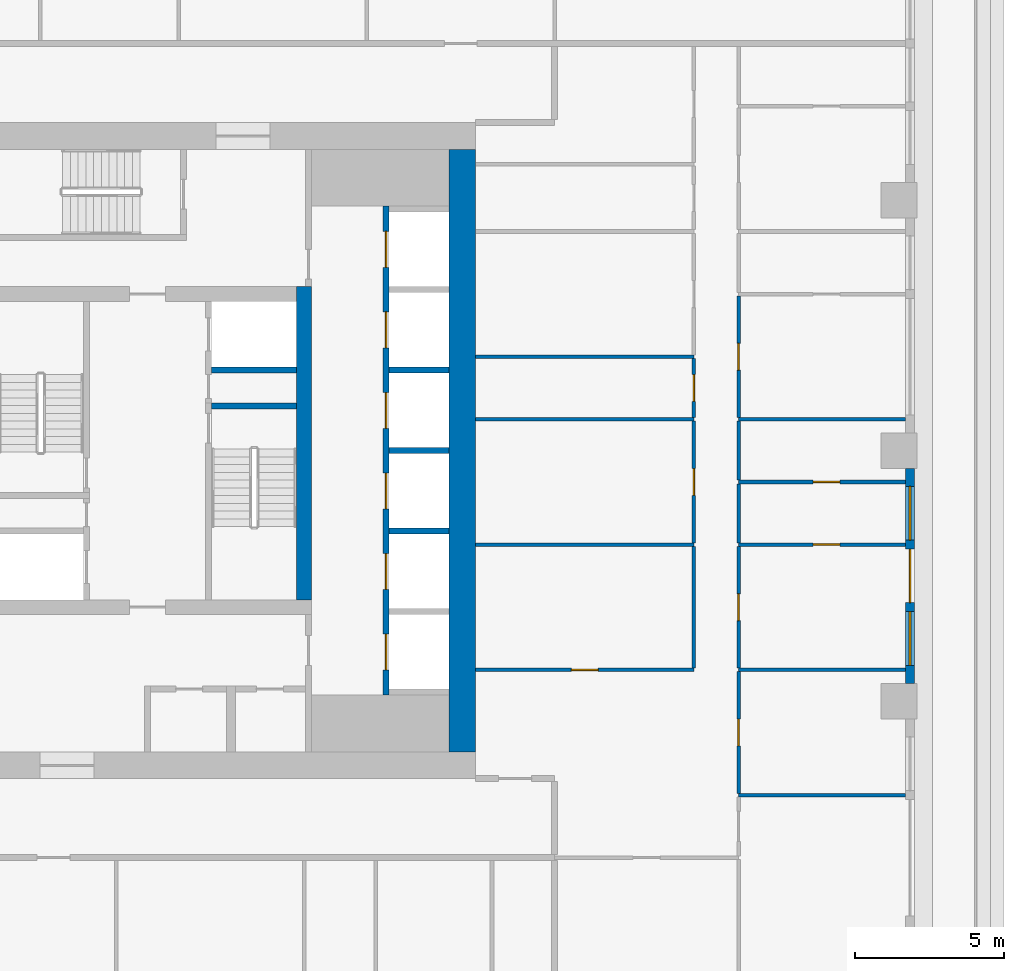
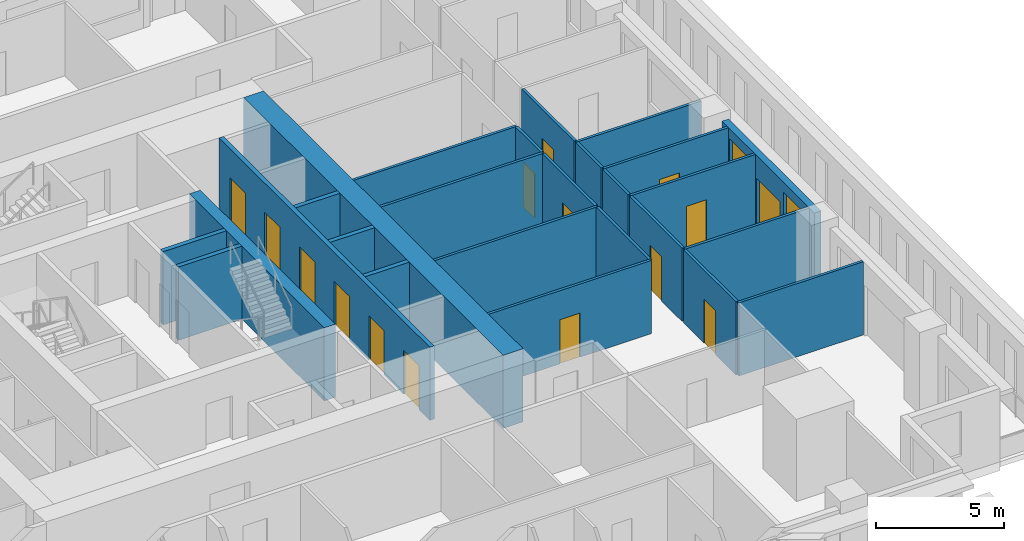
# One storey, part 6 of 16: 26 walls, 15 doors, 2 windows, 17 openings.
"""IFC4 building model written with IfcOpenShell, lengths in metres."""

import ifcopenshell
import ifcopenshell.guid

model = None  # the IFC model being written
_history = None  # IfcOwnerHistory: only IFC2X3 demands one
_inside = {}  # id of a spatial element -> (the spatial element, [elements in it])
_under = {}  # id of a project, library or spatial element -> (it, [spatial elements below it])
_declared = {}  # id of a project -> (the project, [libraries it declares])
_typed = {}  # id of a type object -> (the type object, [elements of that type])
_made_of = {}  # id of a material, layer set ... -> (it, [elements and type objects made of it])


def new_model(schema):
    """Start an empty IFC model of exactly this schema.

    Asked for "IFC4X3", IfcOpenShell would pick the latest addendum, in which some entities
    have other attributes; the version numbers below select the first issue.
    IFC2X3 requires an IfcOwnerHistory on every rooted entity: one is made here for all.
    """
    global model, _history
    if schema == "IFC4X3":
        model = ifcopenshell.file(schema_version=(4, 3, 0, 0))
    else:
        model = ifcopenshell.file(schema=schema)
    _inside.clear()
    _under.clear()
    _declared.clear()
    _typed.clear()
    _made_of.clear()
    _history = None
    if model.schema == "IFC2X3":
        org = make("IfcOrganization", Name="unknown")
        user = make(
            "IfcPersonAndOrganization",
            ThePerson=make("IfcPerson", FamilyName="unknown"),
            TheOrganization=org,
        )
        app = make(
            "IfcApplication",
            ApplicationDeveloper=org,
            Version="unknown",
            ApplicationFullName="unknown",
            ApplicationIdentifier="unknown",
        )
        _history = make(
            "IfcOwnerHistory",
            OwningUser=user,
            OwningApplication=app,
            ChangeAction="ADDED",
            CreationDate=0,
        )
    return model


def make(cls, **values):
    """One entity of the class cls with the attributes given. An attribute that is None is left unset."""
    return model.create_entity(
        cls, **{name: value for name, value in values.items() if value is not None}
    )


def rooted(cls, **values):
    """An entity with a GlobalId (a new one), such as an element, a storey or a relation."""
    return make(cls, GlobalId=ifcopenshell.guid.new(), OwnerHistory=_history, **values)


def si_unit(unit_type, name, prefix=None):
    """IfcSIUnit, for example si_unit("LENGTHUNIT", "METRE", prefix="MILLI")."""
    return make("IfcSIUnit", UnitType=unit_type, Prefix=prefix, Name=name)


def assignment(units):
    """IfcUnitAssignment: the units of a project."""
    return None if units is None else make("IfcUnitAssignment", Units=units)


def point(xyz):
    """IfcCartesianPoint."""
    return None if xyz is None else make("IfcCartesianPoint", Coordinates=xyz)


def direction(xyz):
    """IfcDirection."""
    return None if xyz is None else make("IfcDirection", DirectionRatios=xyz)


def frame(location, z_axis=None, x_axis=None):
    """IfcAxis2Placement3D, a coordinate frame: its origin and axes. An axis left out is left unset."""
    return make(
        "IfcAxis2Placement3D",
        Location=point(location),
        Axis=direction(z_axis),
        RefDirection=direction(x_axis),
    )


def frame_2d(location, x_axis=None):
    """IfcAxis2Placement2D, a coordinate frame in the plane: its origin and x axis."""
    return make(
        "IfcAxis2Placement2D", Location=point(location), RefDirection=direction(x_axis)
    )


def origin():
    """The frame at (0, 0, 0) with its axes left unset."""
    return frame((0.0, 0.0, 0.0))


def place(relative_to, where):
    """IfcLocalPlacement: puts the frame where relative to a parent placement (None: the world)."""
    return make(
        "IfcLocalPlacement", PlacementRelTo=relative_to, RelativePlacement=where
    )


def context(
    kind, dimensions, precision=None, world=None, true_north=None, identifier=None
):
    """IfcGeometricRepresentationContext, for example the 3D "Model" context."""
    return make(
        "IfcGeometricRepresentationContext",
        ContextIdentifier=identifier,
        ContextType=kind,
        CoordinateSpaceDimension=dimensions,
        Precision=precision,
        WorldCoordinateSystem=world,
        TrueNorth=true_north,
    )


def subcontext(parent, identifier, kind, view, scale=None):
    """IfcGeometricRepresentationSubContext, for example "Body" below "Model"."""
    return make(
        "IfcGeometricRepresentationSubContext",
        ContextIdentifier=identifier,
        ContextType=kind,
        ParentContext=parent,
        TargetScale=scale,
        TargetView=view,
    )


def project(units=None, contexts=None):
    """IfcProject with its units and contexts."""
    return rooted(
        "IfcProject",
        Name="project",
        RepresentationContexts=contexts,
        UnitsInContext=assignment(units),
    )


def spatial(cls, under=None, at=None, **own):
    """A site, building, storey or space (cls), placed at a placement, below another one or the project."""
    s = rooted(cls, ObjectPlacement=at, **own)
    if under is not None:
        _under.setdefault(under.id(), (under, []))[1].append(s)
    return s


def profile(cls, at=None, kind="AREA", **sizes):
    """A parametric profile (cls). Its sizes go by their IFC names, for example OverallWidth=200.0."""
    return make(cls, ProfileType=kind, Position=at, **sizes)


def rectangle(**sizes):
    """IfcRectangleProfileDef."""
    return profile("IfcRectangleProfileDef", **sizes)


def extrude(swept, where, along, depth):
    """IfcExtrudedAreaSolid: the profile swept, set in the frame where, extruded along a direction by depth."""
    return make(
        "IfcExtrudedAreaSolid",
        SweptArea=swept,
        Position=where,
        ExtrudedDirection=direction(along),
        Depth=depth,
    )


def shape(context_of_items, identifier, shape_type, items):
    """IfcShapeRepresentation: the items that make up one representation, for example the "Body"."""
    return make(
        "IfcShapeRepresentation",
        ContextOfItems=context_of_items,
        RepresentationIdentifier=identifier,
        RepresentationType=shape_type,
        Items=items,
    )


def material(Name=None, Category=None):
    """IfcMaterial."""
    return make("IfcMaterial", Name=Name, Category=Category)


def layer(
    of_material, thickness, ventilated=None, Name=None, Category=None, Priority=None
):
    """IfcMaterialLayer: one layer of a wall or slab, of a material (None: an air gap)."""
    return make(
        "IfcMaterialLayer",
        Material=of_material,
        LayerThickness=thickness,
        IsVentilated=ventilated,
        Name=Name,
        Category=Category,
        Priority=Priority,
    )


def layer_set(layers, Name=None):
    """IfcMaterialLayerSet."""
    return make("IfcMaterialLayerSet", MaterialLayers=layers, LayerSetName=Name)


def made_of(thing, what):
    """Note that an element or type object is made of a material, layer set ...; save() writes the relation."""
    if what is not None:
        _made_of.setdefault(what.id(), (what, []))[1].append(thing)
    return thing


def type_object(cls, material=None, **own):
    """A type object (cls), such as IfcWallType, which elements share."""
    return made_of(rooted(cls, **own), material)


def element(
    cls,
    number,
    at=None,
    inside=None,
    cuts=None,
    type_object=None,
    material=None,
    context=None,
    identifier="Body",
    shape_type=None,
    held_by="IfcProductDefinitionShape",
    body=None,
    shapes=None,
    **own,
):
    """One element of the class cls, such as IfcWall. Its Tag is "e" and its number.

    at: its placement. inside: the storey or other place that contains it. cuts: it is an
    opening in that element (IfcRelVoidsElement). A single representation is given by context,
    identifier, shape_type and body (its items); several are given by shapes. held_by: the class
    of the entity that holds the representations. save() writes the other relations.
    """
    e = rooted(cls, Tag="e%d" % number, ObjectPlacement=at, **own)
    if body is not None:
        shapes = [shape(context, identifier, shape_type, body)]
    if shapes is not None:
        e.Representation = make(held_by, Representations=shapes)
    if inside is not None:
        _inside.setdefault(inside.id(), (inside, []))[1].append(e)
    if cuts is not None:
        rooted(
            "IfcRelVoidsElement", RelatingBuildingElement=cuts, RelatedOpeningElement=e
        )
    if type_object is not None:
        _typed.setdefault(type_object.id(), (type_object, []))[1].append(e)
    return made_of(e, material)


def fill(opening, filler):
    """IfcRelFillsElement: the door or window that sits in an opening."""
    return rooted(
        "IfcRelFillsElement",
        RelatingOpeningElement=opening,
        RelatedBuildingElement=filler,
    )


def aggregate(whole, parts):
    """IfcRelAggregates: a whole, such as a stair, and the parts it consists of."""
    return rooted("IfcRelAggregates", RelatingObject=whole, RelatedObjects=parts)


def save(model, path):
    """Write the relations noted so far, then the file.

    IfcRelAggregates (storeys below a building ...), IfcRelContainedInSpatialStructure (elements
    in a storey), IfcRelDefinesByType, IfcRelAssociatesMaterial and IfcRelDeclares: one each for
    every whole, place, type object, material and project.
    """
    for whole, parts in _under.values():
        aggregate(whole, parts)
    for where, things in _inside.values():
        rooted(
            "IfcRelContainedInSpatialStructure",
            RelatedElements=things,
            RelatingStructure=where,
        )
    for kind, things in _typed.values():
        rooted("IfcRelDefinesByType", RelatedObjects=things, RelatingType=kind)
    for what, things in _made_of.values():
        rooted("IfcRelAssociatesMaterial", RelatedObjects=things, RelatingMaterial=what)
    for by, libraries in _declared.values():
        rooted("IfcRelDeclares", RelatingContext=by, RelatedDefinitions=libraries)
    model.write(path)


model = new_model("IFC4")

# Units and contexts
model_context = context("Model", 3, precision=1e-05, world=origin(), true_north=direction((0.0, 1.0)))
body_context = subcontext(model_context, "Body", "Model", "MODEL_VIEW")
ifc_project = project(units=[si_unit("LENGTHUNIT", "METRE"), si_unit("AREAUNIT", "SQUARE_METRE"), si_unit("VOLUMEUNIT", "CUBIC_METRE"), si_unit("PLANEANGLEUNIT", "RADIAN"), si_unit("MASSUNIT", "GRAM", prefix="KILO")], contexts=[model_context])

# Site, building, storey
site_placement = place(None, origin())
site = spatial("IfcSite", under=ifc_project, at=site_placement, CompositionType="ELEMENT")
building_placement = place(site_placement, origin())
building = spatial("IfcBuilding", under=site, at=building_placement, Name="Khepri Terraces", CompositionType="ELEMENT")
storey_placement = place(building_placement, frame((0.0, 0.0, 168.89990234375)))
storey = spatial("IfcBuildingStorey", under=building, at=storey_placement, Name="L40", CompositionType="ELEMENT", Elevation=168.89990234375)

# Wall
ifc_material_1 = material(Name="Concrete C60/75", Category="concrete")
ifc_layer_1 = layer(ifc_material_1, 0.199951171875, Name="Concrete C60/75", Category="concrete")
ifc_layer_set_1 = layer_set([ifc_layer_1], Name="Concrete C60/75")
wall_type_1 = type_object("IfcWallType", Name="Core wall 200 C60/75", PredefinedType="SHEAR", material=ifc_layer_set_1)
wall_1_placement = place(storey_placement, frame((2.14990234375, 1.5, 0.0), z_axis=(0.0, 0.0, 1.0), x_axis=(1.0, 0.0, 0.0)))
element("IfcWall", 1, at=wall_1_placement, inside=storey, type_object=wall_type_1, Name="Core wall ST04 L40", PredefinedType="SHEAR", context=body_context, shape_type="SweptSolid", body=[
    extrude(rectangle(XDim=2.85009765625, YDim=0.199951171875, at=frame_2d((1.425048828125, 0.0))), origin(), (0.0, 0.0, 1.0), 3.47998046875),
])

# Wall, openings, doors
wall_2_placement = place(storey_placement, frame((8.0, -8.199951171875, 0.0), z_axis=(0.0, 0.0, 1.0), x_axis=(0.0, 1.0, 0.0)))
wall_2 = element("IfcWall", 2, at=wall_2_placement, inside=storey, type_object=wall_type_1, Name="Core wall SH02 L40", PredefinedType="SHEAR", context=body_context, shape_type="SweptSolid", body=[
    extrude(rectangle(XDim=16.39990234375, YDim=0.199951171875, at=frame_2d((8.199951171875, 0.0))), origin(), (0.0, 0.0, 1.0), 3.47998046875),
])
opening_1_placement = place(wall_2_placement, frame((0.85009765625, 0.0, 0.0)))
opening_1 = element("IfcOpeningElement", 3, at=opening_1_placement, cuts=wall_2, Name="Opening L40-C01", PredefinedType="OPENING", context=body_context, shape_type="SweptSolid", body=[
    extrude(rectangle(XDim=1.199951171875, YDim=2.10009765625, at=frame_2d((0.60009765625, 1.050048828125))), frame((0.0, 0.10986328125, 0.0), z_axis=(0.0, -1.0, 0.0), x_axis=(1.0, 0.0, 0.0)), (0.0, 0.0, 1.0), 0.219970703125),
])
opening_2_placement = place(wall_2_placement, frame((3.550048828125, 0.0, 0.0)))
opening_2 = element("IfcOpeningElement", 4, at=opening_2_placement, cuts=wall_2, Name="Opening L40-C02", PredefinedType="OPENING", context=body_context, shape_type="SweptSolid", body=[
    extrude(rectangle(XDim=1.199951171875, YDim=2.10009765625, at=frame_2d((0.60009765625, 1.050048828125))), frame((0.0, 0.10986328125, 0.0), z_axis=(0.0, -1.0, 0.0), x_axis=(1.0, 0.0, 0.0)), (0.0, 0.0, 1.0), 0.219970703125),
])
opening_3_placement = place(wall_2_placement, frame((6.25, 0.0, 0.0)))
opening_3 = element("IfcOpeningElement", 5, at=opening_3_placement, cuts=wall_2, Name="Opening L40-C03", PredefinedType="OPENING", context=body_context, shape_type="SweptSolid", body=[
    extrude(rectangle(XDim=1.199951171875, YDim=2.10009765625, at=frame_2d((0.60009765625, 1.050048828125))), frame((0.0, 0.10986328125, 0.0), z_axis=(0.0, -1.0, 0.0), x_axis=(1.0, 0.0, 0.0)), (0.0, 0.0, 1.0), 0.219970703125),
])
opening_4_placement = place(wall_2_placement, frame((8.949951171875, 0.0, 0.0)))
opening_4 = element("IfcOpeningElement", 6, at=opening_4_placement, cuts=wall_2, Name="Opening L40-C04", PredefinedType="OPENING", context=body_context, shape_type="SweptSolid", body=[
    extrude(rectangle(XDim=1.199951171875, YDim=2.10009765625, at=frame_2d((0.60009765625, 1.050048828125))), frame((0.0, 0.10986328125, 0.0), z_axis=(0.0, -1.0, 0.0), x_axis=(1.0, 0.0, 0.0)), (0.0, 0.0, 1.0), 0.219970703125),
])
opening_5_placement = place(wall_2_placement, frame((11.64990234375, 0.0, 0.0)))
opening_5 = element("IfcOpeningElement", 7, at=opening_5_placement, cuts=wall_2, Name="Opening L40-C05", PredefinedType="OPENING", context=body_context, shape_type="SweptSolid", body=[
    extrude(rectangle(XDim=1.199951171875, YDim=2.10009765625, at=frame_2d((0.60009765625, 1.050048828125))), frame((0.0, 0.10986328125, 0.0), z_axis=(0.0, -1.0, 0.0), x_axis=(1.0, 0.0, 0.0)), (0.0, 0.0, 1.0), 0.219970703125),
])
opening_6_placement = place(wall_2_placement, frame((14.35009765625, 0.0, 0.0)))
opening_6 = element("IfcOpeningElement", 8, at=opening_6_placement, cuts=wall_2, Name="Opening L40-C06", PredefinedType="OPENING", context=body_context, shape_type="SweptSolid", body=[
    extrude(rectangle(XDim=1.199951171875, YDim=2.10009765625, at=frame_2d((0.60009765625, 1.050048828125))), frame((0.0, 0.10986328125, 0.0), z_axis=(0.0, -1.0, 0.0), x_axis=(1.0, 0.0, 0.0)), (0.0, 0.0, 1.0), 0.219970703125),
])
ifc_material_2 = material(Name="Stainless steel 304", Category="steel")
door_type_1 = type_object("IfcDoorType", Name="DR-CORE-LANDING-1200", OperationType="NOTDEFINED", PredefinedType="DOOR", material=ifc_material_2)
door_1_placement = place(opening_1_placement, origin())
door_1 = element("IfcDoor", 9, at=door_1_placement, inside=storey, type_object=door_type_1, Name="Lift landing door L40-C01", OperationType="SLIDING_TO_LEFT", OverallHeight=2.10009765625, OverallWidth=1.199951171875, PredefinedType="DOOR", context=body_context, shape_type="SweptSolid", body=[
    extrude(rectangle(XDim=1.199951171875, YDim=2.10009765625, at=frame_2d((0.60009765625, 1.050048828125))), frame((0.0, 0.02490234375, 0.0), z_axis=(0.0, -1.0, 0.0), x_axis=(1.0, 0.0, 0.0)), (0.0, 0.0, 1.0), 0.050048828125),
])
fill(opening_1, door_1)
door_2_placement = place(opening_2_placement, origin())
door_2 = element("IfcDoor", 10, at=door_2_placement, inside=storey, type_object=door_type_1, Name="Lift landing door L40-C02", OperationType="SLIDING_TO_LEFT", OverallHeight=2.10009765625, OverallWidth=1.199951171875, PredefinedType="DOOR", context=body_context, shape_type="SweptSolid", body=[
    extrude(rectangle(XDim=1.199951171875, YDim=2.10009765625, at=frame_2d((0.60009765625, 1.050048828125))), frame((0.0, 0.02490234375, 0.0), z_axis=(0.0, -1.0, 0.0), x_axis=(1.0, 0.0, 0.0)), (0.0, 0.0, 1.0), 0.050048828125),
])
fill(opening_2, door_2)
door_3_placement = place(opening_3_placement, origin())
door_3 = element("IfcDoor", 11, at=door_3_placement, inside=storey, type_object=door_type_1, Name="Lift landing door L40-C03", OperationType="SLIDING_TO_LEFT", OverallHeight=2.10009765625, OverallWidth=1.199951171875, PredefinedType="DOOR", context=body_context, shape_type="SweptSolid", body=[
    extrude(rectangle(XDim=1.199951171875, YDim=2.10009765625, at=frame_2d((0.60009765625, 1.050048828125))), frame((0.0, 0.02490234375, 0.0), z_axis=(0.0, -1.0, 0.0), x_axis=(1.0, 0.0, 0.0)), (0.0, 0.0, 1.0), 0.050048828125),
])
fill(opening_3, door_3)
door_4_placement = place(opening_4_placement, origin())
door_4 = element("IfcDoor", 12, at=door_4_placement, inside=storey, type_object=door_type_1, Name="Lift landing door L40-C04", OperationType="SLIDING_TO_LEFT", OverallHeight=2.10009765625, OverallWidth=1.199951171875, PredefinedType="DOOR", context=body_context, shape_type="SweptSolid", body=[
    extrude(rectangle(XDim=1.199951171875, YDim=2.10009765625, at=frame_2d((0.60009765625, 1.050048828125))), frame((0.0, 0.02490234375, 0.0), z_axis=(0.0, -1.0, 0.0), x_axis=(1.0, 0.0, 0.0)), (0.0, 0.0, 1.0), 0.050048828125),
])
fill(opening_4, door_4)
door_5_placement = place(opening_5_placement, origin())
door_5 = element("IfcDoor", 13, at=door_5_placement, inside=storey, type_object=door_type_1, Name="Lift landing door L40-C05", OperationType="SLIDING_TO_LEFT", OverallHeight=2.10009765625, OverallWidth=1.199951171875, PredefinedType="DOOR", context=body_context, shape_type="SweptSolid", body=[
    extrude(rectangle(XDim=1.199951171875, YDim=2.10009765625, at=frame_2d((0.60009765625, 1.050048828125))), frame((0.0, 0.02490234375, 0.0), z_axis=(0.0, -1.0, 0.0), x_axis=(1.0, 0.0, 0.0)), (0.0, 0.0, 1.0), 0.050048828125),
])
fill(opening_5, door_5)
door_6_placement = place(opening_6_placement, origin())
door_6 = element("IfcDoor", 14, at=door_6_placement, inside=storey, type_object=door_type_1, Name="Lift landing door L40-C06", OperationType="SLIDING_TO_LEFT", OverallHeight=2.10009765625, OverallWidth=1.199951171875, PredefinedType="DOOR", context=body_context, shape_type="SweptSolid", body=[
    extrude(rectangle(XDim=1.199951171875, YDim=2.10009765625, at=frame_2d((0.60009765625, 1.050048828125))), frame((0.0, 0.02490234375, 0.0), z_axis=(0.0, -1.0, 0.0), x_axis=(1.0, 0.0, 0.0)), (0.0, 0.0, 1.0), 0.050048828125),
])
fill(opening_6, door_6)

# Walls
for number, where, z_axis, x_axis, name in (
    (15, (8.10009765625, -2.699951171875, 0.0), (0.0, 0.0, 1.0), (1.0, 0.0, 0.0), "Core wall SH08 L40"),
    (16, (8.10009765625, 0.0, 0.0), (0.0, 0.0, 1.0), (1.0, 0.0, 0.0), "Core wall SH09 L40"),
):
    element("IfcWall", number, at=place(storey_placement, frame(where, z_axis=z_axis, x_axis=x_axis)), inside=storey, type_object=wall_type_1, Name=name, PredefinedType="SHEAR", context=body_context, shape_type="SweptSolid", body=[
        extrude(rectangle(XDim=2.0, YDim=0.199951171875, at=frame_2d((1.0, 0.0))), origin(), (0.0, 0.0, 1.0), 3.47998046875),
    ])
wall_3_placement = place(storey_placement, frame((2.14990234375, 2.699951171875, 0.0), z_axis=(0.0, 0.0, 1.0), x_axis=(1.0, 0.0, 0.0)))
element("IfcWall", 17, at=wall_3_placement, inside=storey, type_object=wall_type_1, Name="Core wall SH12 L40", PredefinedType="SHEAR", context=body_context, shape_type="SweptSolid", body=[
    extrude(rectangle(XDim=2.85009765625, YDim=0.199951171875, at=frame_2d((1.425048828125, 0.0))), origin(), (0.0, 0.0, 1.0), 3.47998046875),
])
wall_4_placement = place(storey_placement, frame((8.10009765625, 2.699951171875, 0.0), z_axis=(0.0, 0.0, 1.0), x_axis=(1.0, 0.0, 0.0)))
element("IfcWall", 18, at=wall_4_placement, inside=storey, type_object=wall_type_1, Name="Core wall SH13 L40", PredefinedType="SHEAR", context=body_context, shape_type="SweptSolid", body=[
    extrude(rectangle(XDim=2.0, YDim=0.199951171875, at=frame_2d((1.0, 0.0))), origin(), (0.0, 0.0, 1.0), 3.47998046875),
])
ifc_layer_2 = layer(ifc_material_1, 0.5, Name="Concrete C60/75", Category="concrete")
ifc_layer_set_2 = layer_set([ifc_layer_2], Name="Concrete C60/75")
wall_type_2 = type_object("IfcWallType", Name="Core wall 500 C60/75", PredefinedType="SHEAR", material=ifc_layer_set_2)
wall_5_placement = place(storey_placement, frame((5.25, -5.0, 0.0), z_axis=(0.0, 0.0, 1.0), x_axis=(0.0, 1.0, 0.0)))
element("IfcWall", 19, at=wall_5_placement, inside=storey, type_object=wall_type_2, Name="Core wall BX03 L40", PredefinedType="SHEAR", context=body_context, shape_type="SweptSolid", body=[
    extrude(rectangle(XDim=10.5, YDim=0.5, at=frame_2d((5.25, 0.0))), origin(), (0.0, 0.0, 1.0), 3.47998046875),
])
ifc_layer_3 = layer(ifc_material_1, 0.89990234375, Name="Concrete C60/75", Category="concrete")
ifc_layer_set_3 = layer_set([ifc_layer_3], Name="Concrete C60/75")
wall_type_3 = type_object("IfcWallType", Name="Core wall 900 C60/75", PredefinedType="SHEAR", material=ifc_layer_set_3)
wall_6_placement = place(storey_placement, frame((10.550048828125, -10.10009765625, 0.0), z_axis=(0.0, 0.0, 1.0), x_axis=(0.0, 1.0, 0.0)))
element("IfcWall", 20, at=wall_6_placement, inside=storey, type_object=wall_type_3, Name="Core wall OW-E L40", PredefinedType="SHEAR", context=body_context, shape_type="SweptSolid", body=[
    extrude(rectangle(XDim=20.2001953125, YDim=0.89990234375, at=frame_2d((10.10009765625, 0.0))), origin(), (0.0, 0.0, 1.0), 3.47998046875),
])

# Wall, openings, door, windows
ifc_material_3 = material(Name="Precast concrete C50/60 warm stone", Category="masonry")
ifc_layer_4 = layer(ifc_material_3, 0.300048828125, Name="Precast concrete C50/60 warm stone", Category="masonry")
ifc_layer_set_4 = layer_set([ifc_layer_4], Name="Precast concrete C50/60 warm stone")
wall_type_4 = type_object("IfcWallType", Name="WL-EXT-PRECAST-300", PredefinedType="STANDARD", material=ifc_layer_set_4)
wall_7_placement = place(storey_placement, frame((25.570068359375, -7.800048828125, 0.0), z_axis=(0.0, 0.0, 1.0), x_axis=(0.0, 1.0, 0.0)))
wall_7 = element("IfcWall", 21, at=wall_7_placement, inside=storey, type_object=wall_type_4, Name="External wall L40 E", PredefinedType="STANDARD", context=body_context, shape_type="SweptSolid", body=[
    extrude(rectangle(XDim=7.199951171875, YDim=0.300048828125, at=frame_2d((3.60009765625, 0.0))), origin(), (0.0, 0.0, 1.0), 3.47998046875),
])
opening_7_placement = place(wall_7_placement, frame((0.60009765625, 0.0, 0.89990234375)))
opening_7 = element("IfcOpeningElement", 22, at=opening_7_placement, cuts=wall_7, Name="Opening W1", PredefinedType="OPENING", context=body_context, shape_type="SweptSolid", body=[
    extrude(rectangle(XDim=1.800048828125, YDim=2.10009765625, at=frame_2d((0.89990234375, 1.050048828125))), frame((0.0, 0.16015625, 0.0), z_axis=(0.0, -1.0, 0.0), x_axis=(1.0, 0.0, 0.0)), (0.0, 0.0, 1.0), 0.320068359375),
])
opening_8_placement = place(wall_7_placement, frame((2.699951171875, 0.0, 0.0)))
opening_8 = element("IfcOpeningElement", 23, at=opening_8_placement, cuts=wall_7, Name="Opening ED-L40-03", PredefinedType="OPENING", context=body_context, shape_type="SweptSolid", body=[
    extrude(rectangle(XDim=1.800048828125, YDim=2.39990234375, at=frame_2d((0.89990234375, 1.199951171875))), frame((0.0, 0.16015625, 0.0), z_axis=(0.0, -1.0, 0.0), x_axis=(1.0, 0.0, 0.0)), (0.0, 0.0, 1.0), 0.320068359375),
])
opening_9_placement = place(wall_7_placement, frame((4.800048828125, 0.0, 0.89990234375)))
opening_9 = element("IfcOpeningElement", 24, at=opening_9_placement, cuts=wall_7, Name="Opening W1", PredefinedType="OPENING", context=body_context, shape_type="SweptSolid", body=[
    extrude(rectangle(XDim=1.800048828125, YDim=2.10009765625, at=frame_2d((0.89990234375, 1.050048828125))), frame((0.0, 0.16015625, 0.0), z_axis=(0.0, -1.0, 0.0), x_axis=(1.0, 0.0, 0.0)), (0.0, 0.0, 1.0), 0.320068359375),
])
ifc_material_4 = material(Name="Anodised aluminium bronze glazed door", Category="aluminium")
door_type_2 = type_object("IfcDoorType", Name="DR-BAL-SLIDE-1800x2400", OperationType="NOTDEFINED", PredefinedType="DOOR", material=ifc_material_4)
door_7_placement = place(opening_8_placement, origin())
door_7 = element("IfcDoor", 25, at=door_7_placement, inside=storey, type_object=door_type_2, Name="Balcony door L40 E", OperationType="SLIDING_TO_LEFT", OverallHeight=2.39990234375, OverallWidth=1.800048828125, PredefinedType="DOOR", context=body_context, shape_type="SweptSolid", body=[
    extrude(rectangle(XDim=1.800048828125, YDim=2.39990234375, at=frame_2d((0.89990234375, 1.199951171875))), frame((0.0, 0.02490234375, 0.0), z_axis=(0.0, -1.0, 0.0), x_axis=(1.0, 0.0, 0.0)), (0.0, 0.0, 1.0), 0.050048828125),
])
fill(opening_8, door_7)
ifc_material_5 = material(Name="Clear glass", Category="glass")
window_type = type_object("IfcWindowType", Name="WIN-RES-1800x2100", PartitioningType="SINGLE_PANEL", PredefinedType="WINDOW", material=ifc_material_5)
window_1_placement = place(opening_7_placement, origin())
window_1 = element("IfcWindow", 26, at=window_1_placement, inside=storey, type_object=window_type, Name="Window L40 E", OverallHeight=2.10009765625, OverallWidth=1.800048828125, PartitioningType="SINGLE_PANEL", PredefinedType="WINDOW", context=body_context, shape_type="SweptSolid", body=[
    extrude(rectangle(XDim=1.800048828125, YDim=2.10009765625, at=frame_2d((0.89990234375, 1.050048828125))), frame((0.0, 0.030029296875, 0.0), z_axis=(0.0, -1.0, 0.0), x_axis=(1.0, 0.0, 0.0)), (0.0, 0.0, 1.0), 0.06005859375),
])
fill(opening_7, window_1)
window_2_placement = place(opening_9_placement, origin())
window_2 = element("IfcWindow", 27, at=window_2_placement, inside=storey, type_object=window_type, Name="Window L40 E", OverallHeight=2.10009765625, OverallWidth=1.800048828125, PartitioningType="SINGLE_PANEL", PredefinedType="WINDOW", context=body_context, shape_type="SweptSolid", body=[
    extrude(rectangle(XDim=1.800048828125, YDim=2.10009765625, at=frame_2d((0.89990234375, 1.050048828125))), frame((0.0, 0.030029296875, 0.0), z_axis=(0.0, -1.0, 0.0), x_axis=(1.0, 0.0, 0.0)), (0.0, 0.0, 1.0), 0.06005859375),
])
fill(opening_9, window_2)

# Wall
ifc_material_6 = material(Name="Gypsum plasterboard partition")
ifc_layer_5 = layer(ifc_material_6, 0.1201171875, Name="Gypsum plasterboard partition")
ifc_layer_set_5 = layer_set([ifc_layer_5], Name="Gypsum plasterboard partition")
wall_type_5 = type_object("IfcWallType", Name="WL-PART-120", PredefinedType="PARTITIONING", material=ifc_layer_set_5)
wall_8_placement = place(storey_placement, frame((19.820068359375, -11.550048828125, 0.0), z_axis=(0.0, 0.0, 1.0), x_axis=(1.0, 0.0, 0.0)))
element("IfcWall", 28, at=wall_8_placement, inside=storey, type_object=wall_type_5, Name="Partition P-032 L40", PredefinedType="PARTITIONING", context=body_context, shape_type="SweptSolid", body=[
    extrude(rectangle(XDim=5.599853515625, YDim=0.1201171875, at=frame_2d((2.7998046875, 0.0))), origin(), (0.0, 0.0, 1.0), 3.47998046875),
])

# Wall, opening, door
wall_9_placement = place(storey_placement, frame((19.820068359375, -11.489990234375, 0.0), z_axis=(0.0, 0.0, 1.0), x_axis=(0.0, 1.0, 0.0)))
wall_9 = element("IfcWall", 29, at=wall_9_placement, inside=storey, type_object=wall_type_5, Name="Partition P-034 L40", PredefinedType="PARTITIONING", context=body_context, shape_type="SweptSolid", body=[
    extrude(rectangle(XDim=4.080078125, YDim=0.1201171875, at=frame_2d((2.0400390625, 0.0))), origin(), (0.0, 0.0, 1.0), 3.47998046875),
])
opening_10_placement = place(wall_9_placement, frame((1.590087890625, 0.0, 0.0)))
opening_10 = element("IfcOpeningElement", 30, at=opening_10_placement, cuts=wall_9, Name="Opening D3", PredefinedType="OPENING", context=body_context, shape_type="SweptSolid", body=[
    extrude(rectangle(XDim=0.89990234375, YDim=2.10009765625, at=frame_2d((0.449951171875, 1.050048828125))), frame((0.0, 0.070068359375, 0.0), z_axis=(0.0, -1.0, 0.0), x_axis=(1.0, 0.0, 0.0)), (0.0, 0.0, 1.0), 0.14013671875),
])
ifc_material_7 = material(Name="Timber door leaf", Category="wood")
door_type_3 = type_object("IfcDoorType", Name="DR-INT-900", OperationType="NOTDEFINED", PredefinedType="DOOR", material=ifc_material_7)
door_8_placement = place(opening_10_placement, frame((0.89990234375, 0.0, 0.0), z_axis=(0.0, 0.0, 1.0), x_axis=(-1.0, 0.0, 0.0)))
door_8 = element("IfcDoor", 31, at=door_8_placement, inside=storey, type_object=door_type_3, Name="Door Study", OperationType="SINGLE_SWING_LEFT", OverallHeight=2.10009765625, OverallWidth=0.89990234375, PredefinedType="DOOR", context=body_context, shape_type="SweptSolid", body=[
    extrude(rectangle(XDim=0.89990234375, YDim=2.10009765625, at=frame_2d((0.449951171875, 1.050048828125))), frame((0.0, 0.02490234375, 0.0), z_axis=(0.0, -1.0, 0.0), x_axis=(1.0, 0.0, 0.0)), (0.0, 0.0, 1.0), 0.050048828125),
])
fill(opening_10, door_8)

wall_10_placement = place(storey_placement, frame((11.0, -7.35009765625, 0.0), z_axis=(0.0, 0.0, 1.0), x_axis=(1.0, 0.0, 0.0)))
wall_10 = element("IfcWall", 32, at=wall_10_placement, inside=storey, type_object=wall_type_5, Name="Partition P-041 L40", PredefinedType="PARTITIONING", context=body_context, shape_type="SweptSolid", body=[
    extrude(rectangle(XDim=7.320068359375, YDim=0.1201171875, at=frame_2d((3.66015625, 0.0))), origin(), (0.0, 0.0, 1.0), 3.47998046875),
])
opening_11_placement = place(wall_10_placement, frame((3.2099609375, 0.0, 0.0)))
opening_11 = element("IfcOpeningElement", 33, at=opening_11_placement, cuts=wall_10, Name="Opening D3", PredefinedType="OPENING", context=body_context, shape_type="SweptSolid", body=[
    extrude(rectangle(XDim=0.89990234375, YDim=2.10009765625, at=frame_2d((0.449951171875, 1.050048828125))), frame((0.0, 0.070068359375, 0.0), z_axis=(0.0, -1.0, 0.0), x_axis=(1.0, 0.0, 0.0)), (0.0, 0.0, 1.0), 0.14013671875),
])
door_9_placement = place(opening_11_placement, origin())
door_9 = element("IfcDoor", 34, at=door_9_placement, inside=storey, type_object=door_type_3, Name="Door Kitchen", OperationType="SINGLE_SWING_RIGHT", OverallHeight=2.10009765625, OverallWidth=0.89990234375, PredefinedType="DOOR", context=body_context, shape_type="SweptSolid", body=[
    extrude(rectangle(XDim=0.89990234375, YDim=2.10009765625, at=frame_2d((0.449951171875, 1.050048828125))), frame((0.0, 0.02490234375, 0.0), z_axis=(0.0, -1.0, 0.0), x_axis=(1.0, 0.0, 0.0)), (0.0, 0.0, 1.0), 0.050048828125),
])
fill(opening_11, door_9)

# Walls
wall_11_placement = place(storey_placement, frame((19.820068359375, -7.35009765625, 0.0), z_axis=(0.0, 0.0, 1.0), x_axis=(1.0, 0.0, 0.0)))
element("IfcWall", 35, at=wall_11_placement, inside=storey, type_object=wall_type_5, Name="Partition P-042 L40", PredefinedType="PARTITIONING", context=body_context, shape_type="SweptSolid", body=[
    extrude(rectangle(XDim=5.599853515625, YDim=0.1201171875, at=frame_2d((2.7998046875, 0.0))), origin(), (0.0, 0.0, 1.0), 3.47998046875),
])
wall_12_placement = place(storey_placement, frame((18.320068359375, -7.2900390625, 0.0), z_axis=(0.0, 0.0, 1.0), x_axis=(0.0, 1.0, 0.0)))
element("IfcWall", 36, at=wall_12_placement, inside=storey, type_object=wall_type_5, Name="Partition P-045 L40", PredefinedType="PARTITIONING", context=body_context, shape_type="SweptSolid", body=[
    extrude(rectangle(XDim=4.080078125, YDim=0.1201171875, at=frame_2d((2.0400390625, 0.0))), origin(), (0.0, 0.0, 1.0), 3.47998046875),
])

# Wall, opening, door
wall_13_placement = place(storey_placement, frame((19.820068359375, -7.2900390625, 0.0), z_axis=(0.0, 0.0, 1.0), x_axis=(0.0, 1.0, 0.0)))
wall_13 = element("IfcWall", 37, at=wall_13_placement, inside=storey, type_object=wall_type_5, Name="Partition P-046 L40", PredefinedType="PARTITIONING", context=body_context, shape_type="SweptSolid", body=[
    extrude(rectangle(XDim=4.080078125, YDim=0.1201171875, at=frame_2d((2.0400390625, 0.0))), origin(), (0.0, 0.0, 1.0), 3.47998046875),
])
opening_12_placement = place(wall_13_placement, frame((1.590087890625, 0.0, 0.0)))
opening_12 = element("IfcOpeningElement", 38, at=opening_12_placement, cuts=wall_13, Name="Opening D3", PredefinedType="OPENING", context=body_context, shape_type="SweptSolid", body=[
    extrude(rectangle(XDim=0.89990234375, YDim=2.10009765625, at=frame_2d((0.449951171875, 1.050048828125))), frame((0.0, 0.070068359375, 0.0), z_axis=(0.0, -1.0, 0.0), x_axis=(1.0, 0.0, 0.0)), (0.0, 0.0, 1.0), 0.14013671875),
])
door_10_placement = place(opening_12_placement, frame((0.89990234375, 0.0, 0.0), z_axis=(0.0, 0.0, 1.0), x_axis=(-1.0, 0.0, 0.0)))
door_10 = element("IfcDoor", 39, at=door_10_placement, inside=storey, type_object=door_type_3, Name="Door Master Bedroom", OperationType="SINGLE_SWING_LEFT", OverallHeight=2.10009765625, OverallWidth=0.89990234375, PredefinedType="DOOR", context=body_context, shape_type="SweptSolid", body=[
    extrude(rectangle(XDim=0.89990234375, YDim=2.10009765625, at=frame_2d((0.449951171875, 1.050048828125))), frame((0.0, 0.02490234375, 0.0), z_axis=(0.0, -1.0, 0.0), x_axis=(1.0, 0.0, 0.0)), (0.0, 0.0, 1.0), 0.050048828125),
])
fill(opening_12, door_10)

# Wall
wall_14_placement = place(storey_placement, frame((11.0, -3.14990234375, 0.0), z_axis=(0.0, 0.0, 1.0), x_axis=(1.0, 0.0, 0.0)))
element("IfcWall", 40, at=wall_14_placement, inside=storey, type_object=wall_type_5, Name="Partition P-050 L40", PredefinedType="PARTITIONING", context=body_context, shape_type="SweptSolid", body=[
    extrude(rectangle(XDim=7.320068359375, YDim=0.1201171875, at=frame_2d((3.66015625, 0.0))), origin(), (0.0, 0.0, 1.0), 3.47998046875),
])

# Wall, opening, door
wall_15_placement = place(storey_placement, frame((19.820068359375, -3.14990234375, 0.0), z_axis=(0.0, 0.0, 1.0), x_axis=(1.0, 0.0, 0.0)))
wall_15 = element("IfcWall", 41, at=wall_15_placement, inside=storey, type_object=wall_type_5, Name="Partition P-051 L40", PredefinedType="PARTITIONING", context=body_context, shape_type="SweptSolid", body=[
    extrude(rectangle(XDim=5.599853515625, YDim=0.1201171875, at=frame_2d((2.7998046875, 0.0))), origin(), (0.0, 0.0, 1.0), 3.47998046875),
])
opening_13_placement = place(wall_15_placement, frame((2.5, 0.0, 0.0)))
opening_13 = element("IfcOpeningElement", 42, at=opening_13_placement, cuts=wall_15, Name="Opening D3", PredefinedType="OPENING", context=body_context, shape_type="SweptSolid", body=[
    extrude(rectangle(XDim=0.89990234375, YDim=2.10009765625, at=frame_2d((0.449951171875, 1.050048828125))), frame((0.0, 0.070068359375, 0.0), z_axis=(0.0, -1.0, 0.0), x_axis=(1.0, 0.0, 0.0)), (0.0, 0.0, 1.0), 0.14013671875),
])
door_11_placement = place(opening_13_placement, origin())
door_11 = element("IfcDoor", 43, at=door_11_placement, inside=storey, type_object=door_type_3, Name="Door Dressing Room", OperationType="SINGLE_SWING_RIGHT", OverallHeight=2.10009765625, OverallWidth=0.89990234375, PredefinedType="DOOR", context=body_context, shape_type="SweptSolid", body=[
    extrude(rectangle(XDim=0.89990234375, YDim=2.10009765625, at=frame_2d((0.449951171875, 1.050048828125))), frame((0.0, 0.02490234375, 0.0), z_axis=(0.0, -1.0, 0.0), x_axis=(1.0, 0.0, 0.0)), (0.0, 0.0, 1.0), 0.050048828125),
])
fill(opening_13, door_11)

wall_16_placement = place(storey_placement, frame((18.320068359375, -3.090087890625, 0.0), z_axis=(0.0, 0.0, 1.0), x_axis=(0.0, 1.0, 0.0)))
wall_16 = element("IfcWall", 44, at=wall_16_placement, inside=storey, type_object=wall_type_5, Name="Partition P-053 L40", PredefinedType="PARTITIONING", context=body_context, shape_type="SweptSolid", body=[
    extrude(rectangle(XDim=4.080078125, YDim=0.1201171875, at=frame_2d((2.0400390625, 0.0))), origin(), (0.0, 0.0, 1.0), 3.47998046875),
])
opening_14_placement = place(wall_16_placement, frame((1.590087890625, 0.0, 0.0)))
opening_14 = element("IfcOpeningElement", 45, at=opening_14_placement, cuts=wall_16, Name="Opening D3", PredefinedType="OPENING", context=body_context, shape_type="SweptSolid", body=[
    extrude(rectangle(XDim=0.89990234375, YDim=2.10009765625, at=frame_2d((0.449951171875, 1.050048828125))), frame((0.0, 0.070068359375, 0.0), z_axis=(0.0, -1.0, 0.0), x_axis=(1.0, 0.0, 0.0)), (0.0, 0.0, 1.0), 0.14013671875),
])
door_12_placement = place(opening_14_placement, origin())
door_12 = element("IfcDoor", 46, at=door_12_placement, inside=storey, type_object=door_type_3, Name="Door Service Store", OperationType="SINGLE_SWING_RIGHT", OverallHeight=2.10009765625, OverallWidth=0.89990234375, PredefinedType="DOOR", context=body_context, shape_type="SweptSolid", body=[
    extrude(rectangle(XDim=0.89990234375, YDim=2.10009765625, at=frame_2d((0.449951171875, 1.050048828125))), frame((0.0, 0.02490234375, 0.0), z_axis=(0.0, -1.0, 0.0), x_axis=(1.0, 0.0, 0.0)), (0.0, 0.0, 1.0), 0.050048828125),
])
fill(opening_14, door_12)

# Wall
wall_17_placement = place(storey_placement, frame((19.820068359375, -3.090087890625, 0.0), z_axis=(0.0, 0.0, 1.0), x_axis=(0.0, 1.0, 0.0)))
element("IfcWall", 47, at=wall_17_placement, inside=storey, type_object=wall_type_5, Name="Partition P-054 L40", PredefinedType="PARTITIONING", context=body_context, shape_type="SweptSolid", body=[
    extrude(rectangle(XDim=1.97998046875, YDim=0.1201171875, at=frame_2d((0.989990234375, 0.0))), origin(), (0.0, 0.0, 1.0), 3.47998046875),
])

# Wall, opening, door
wall_18_placement = place(storey_placement, frame((19.820068359375, -1.050048828125, 0.0), z_axis=(0.0, 0.0, 1.0), x_axis=(1.0, 0.0, 0.0)))
wall_18 = element("IfcWall", 48, at=wall_18_placement, inside=storey, type_object=wall_type_5, Name="Partition P-057 L40", PredefinedType="PARTITIONING", context=body_context, shape_type="SweptSolid", body=[
    extrude(rectangle(XDim=5.599853515625, YDim=0.1201171875, at=frame_2d((2.7998046875, 0.0))), origin(), (0.0, 0.0, 1.0), 3.47998046875),
])
opening_15_placement = place(wall_18_placement, frame((2.5, 0.0, 0.0)))
opening_15 = element("IfcOpeningElement", 49, at=opening_15_placement, cuts=wall_18, Name="Opening D4", PredefinedType="OPENING", context=body_context, shape_type="SweptSolid", body=[
    extrude(rectangle(XDim=0.89990234375, YDim=2.10009765625, at=frame_2d((0.449951171875, 1.050048828125))), frame((0.0, 0.070068359375, 0.0), z_axis=(0.0, -1.0, 0.0), x_axis=(1.0, 0.0, 0.0)), (0.0, 0.0, 1.0), 0.14013671875),
])
ifc_material_8 = material(Name="Timber door leaf, moisture resistant", Category="wood")
door_type_4 = type_object("IfcDoorType", Name="DR-WET-900", OperationType="NOTDEFINED", PredefinedType="DOOR", material=ifc_material_8)
door_13_placement = place(opening_15_placement, origin())
door_13 = element("IfcDoor", 50, at=door_13_placement, inside=storey, type_object=door_type_4, Name="Door Bathroom", OperationType="SINGLE_SWING_RIGHT", OverallHeight=2.10009765625, OverallWidth=0.89990234375, PredefinedType="DOOR", context=body_context, shape_type="SweptSolid", body=[
    extrude(rectangle(XDim=0.89990234375, YDim=2.10009765625, at=frame_2d((0.449951171875, 1.050048828125))), frame((0.0, 0.02490234375, 0.0), z_axis=(0.0, -1.0, 0.0), x_axis=(1.0, 0.0, 0.0)), (0.0, 0.0, 1.0), 0.050048828125),
])
fill(opening_15, door_13)

# Walls
wall_19_placement = place(storey_placement, frame((19.820068359375, -0.989990234375, 0.0), z_axis=(0.0, 0.0, 1.0), x_axis=(0.0, 1.0, 0.0)))
element("IfcWall", 51, at=wall_19_placement, inside=storey, type_object=wall_type_5, Name="Partition P-060 L40", PredefinedType="PARTITIONING", context=body_context, shape_type="SweptSolid", body=[
    extrude(rectangle(XDim=1.97998046875, YDim=0.1201171875, at=frame_2d((0.989990234375, 0.0))), origin(), (0.0, 0.0, 1.0), 3.47998046875),
])
wall_20_placement = place(storey_placement, frame((11.0, 1.050048828125, 0.0), z_axis=(0.0, 0.0, 1.0), x_axis=(1.0, 0.0, 0.0)))
element("IfcWall", 52, at=wall_20_placement, inside=storey, type_object=wall_type_5, Name="Partition P-062 L40", PredefinedType="PARTITIONING", context=body_context, shape_type="SweptSolid", body=[
    extrude(rectangle(XDim=7.320068359375, YDim=0.1201171875, at=frame_2d((3.66015625, 0.0))), origin(), (0.0, 0.0, 1.0), 3.47998046875),
])
wall_21_placement = place(storey_placement, frame((19.820068359375, 1.050048828125, 0.0), z_axis=(0.0, 0.0, 1.0), x_axis=(1.0, 0.0, 0.0)))
element("IfcWall", 53, at=wall_21_placement, inside=storey, type_object=wall_type_5, Name="Partition P-063 L40", PredefinedType="PARTITIONING", context=body_context, shape_type="SweptSolid", body=[
    extrude(rectangle(XDim=5.599853515625, YDim=0.1201171875, at=frame_2d((2.7998046875, 0.0))), origin(), (0.0, 0.0, 1.0), 3.47998046875),
])

# Wall, opening, door
wall_22_placement = place(storey_placement, frame((18.320068359375, 1.110107421875, 0.0), z_axis=(0.0, 0.0, 1.0), x_axis=(0.0, 1.0, 0.0)))
wall_22 = element("IfcWall", 54, at=wall_22_placement, inside=storey, type_object=wall_type_5, Name="Partition P-065 L40", PredefinedType="PARTITIONING", context=body_context, shape_type="SweptSolid", body=[
    extrude(rectangle(XDim=1.97998046875, YDim=0.1201171875, at=frame_2d((0.989990234375, 0.0))), origin(), (0.0, 0.0, 1.0), 3.47998046875),
])
opening_16_placement = place(wall_22_placement, frame((0.5400390625, 0.0, 0.0)))
opening_16 = element("IfcOpeningElement", 55, at=opening_16_placement, cuts=wall_22, Name="Opening D4", PredefinedType="OPENING", context=body_context, shape_type="SweptSolid", body=[
    extrude(rectangle(XDim=0.89990234375, YDim=2.10009765625, at=frame_2d((0.449951171875, 1.050048828125))), frame((0.0, 0.070068359375, 0.0), z_axis=(0.0, -1.0, 0.0), x_axis=(1.0, 0.0, 0.0)), (0.0, 0.0, 1.0), 0.14013671875),
])
door_14_placement = place(opening_16_placement, origin())
door_14 = element("IfcDoor", 56, at=door_14_placement, inside=storey, type_object=door_type_4, Name="Door Powder Room", OperationType="SINGLE_SWING_RIGHT", OverallHeight=2.10009765625, OverallWidth=0.89990234375, PredefinedType="DOOR", context=body_context, shape_type="SweptSolid", body=[
    extrude(rectangle(XDim=0.89990234375, YDim=2.10009765625, at=frame_2d((0.449951171875, 1.050048828125))), frame((0.0, 0.02490234375, 0.0), z_axis=(0.0, -1.0, 0.0), x_axis=(1.0, 0.0, 0.0)), (0.0, 0.0, 1.0), 0.050048828125),
])
fill(opening_16, door_14)

wall_23_placement = place(storey_placement, frame((19.820068359375, 1.110107421875, 0.0), z_axis=(0.0, 0.0, 1.0), x_axis=(0.0, 1.0, 0.0)))
wall_23 = element("IfcWall", 57, at=wall_23_placement, inside=storey, type_object=wall_type_5, Name="Partition P-066 L40", PredefinedType="PARTITIONING", context=body_context, shape_type="SweptSolid", body=[
    extrude(rectangle(XDim=4.079833984375, YDim=0.1201171875, at=frame_2d((2.0400390625, 0.0))), origin(), (0.0, 0.0, 1.0), 3.47998046875),
])
opening_17_placement = place(wall_23_placement, frame((1.590087890625, 0.0, 0.0)))
opening_17 = element("IfcOpeningElement", 58, at=opening_17_placement, cuts=wall_23, Name="Opening D3", PredefinedType="OPENING", context=body_context, shape_type="SweptSolid", body=[
    extrude(rectangle(XDim=0.89990234375, YDim=2.10009765625, at=frame_2d((0.449951171875, 1.050048828125))), frame((0.0, 0.070068359375, 0.0), z_axis=(0.0, -1.0, 0.0), x_axis=(1.0, 0.0, 0.0)), (0.0, 0.0, 1.0), 0.14013671875),
])
door_15_placement = place(opening_17_placement, frame((0.89990234375, 0.0, 0.0), z_axis=(0.0, 0.0, 1.0), x_axis=(-1.0, 0.0, 0.0)))
door_15 = element("IfcDoor", 59, at=door_15_placement, inside=storey, type_object=door_type_3, Name="Door Bedroom", OperationType="SINGLE_SWING_LEFT", OverallHeight=2.10009765625, OverallWidth=0.89990234375, PredefinedType="DOOR", context=body_context, shape_type="SweptSolid", body=[
    extrude(rectangle(XDim=0.89990234375, YDim=2.10009765625, at=frame_2d((0.449951171875, 1.050048828125))), frame((0.0, 0.02490234375, 0.0), z_axis=(0.0, -1.0, 0.0), x_axis=(1.0, 0.0, 0.0)), (0.0, 0.0, 1.0), 0.050048828125),
])
fill(opening_17, door_15)

# Wall
wall_24_placement = place(storey_placement, frame((11.0, 3.14990234375, 0.0), z_axis=(0.0, 0.0, 1.0), x_axis=(1.0, 0.0, 0.0)))
element("IfcWall", 60, at=wall_24_placement, inside=storey, type_object=wall_type_5, Name="Partition P-069 L40", PredefinedType="PARTITIONING", context=body_context, shape_type="SweptSolid", body=[
    extrude(rectangle(XDim=7.320068359375, YDim=0.1201171875, at=frame_2d((3.66015625, 0.0))), origin(), (0.0, 0.0, 1.0), 3.47998046875),
])

save(model, "model.ifc")
